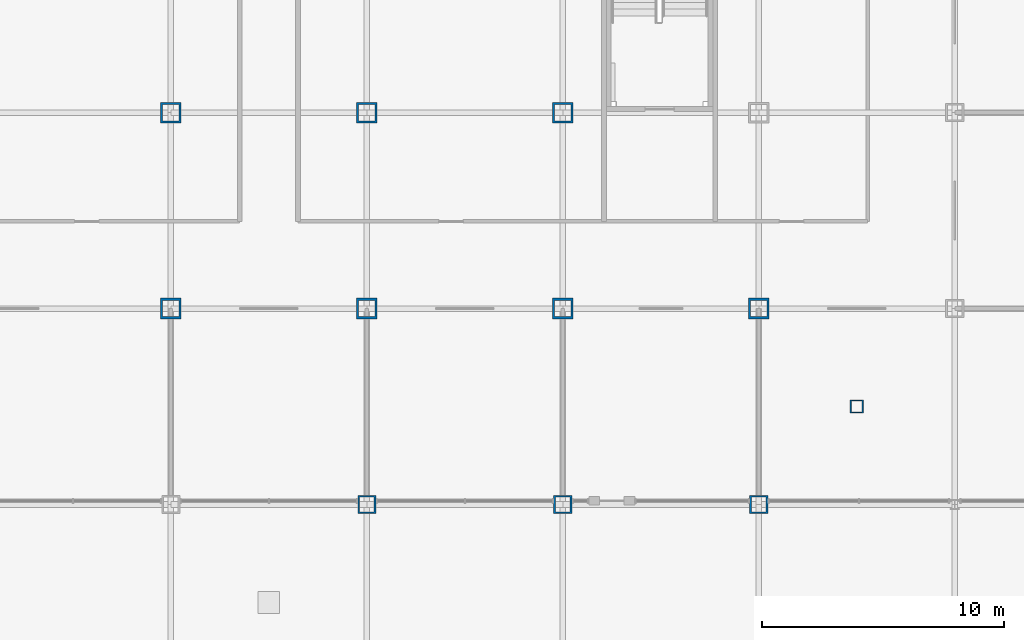
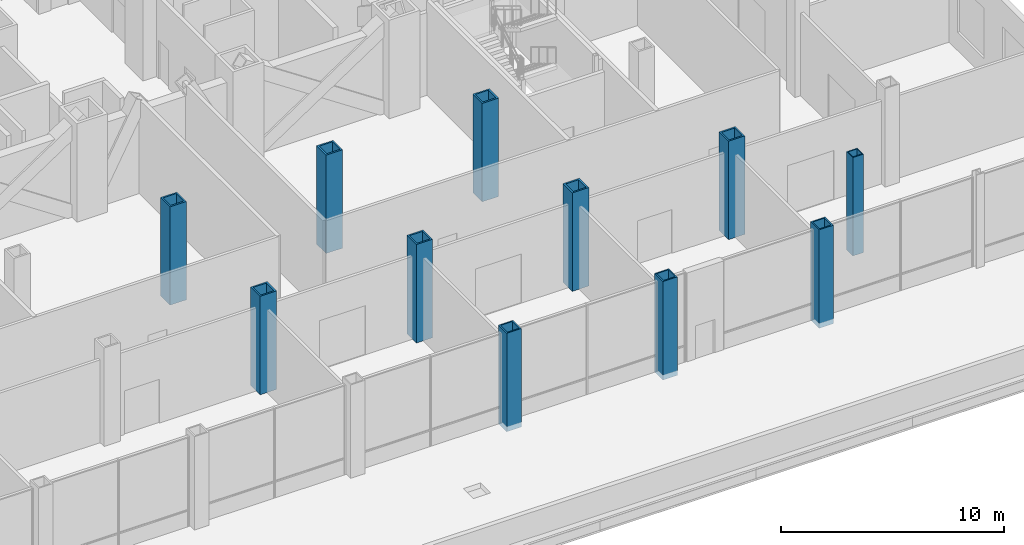
# One storey, part 3 of 29: 11 columns.
"""IFC4 building model written with IfcOpenShell, lengths in metres."""

from ifc_helpers import new_model, si_unit, direction, frame, origin, origin_2d, place, context, subcontext, project, spatial, hollow_rectangle, extrude, material, material_profile, profile_set, type_object, element, save


model = new_model("IFC4")

# Units and contexts
model_context = context("Model", 3, precision=1e-05, world=origin(), true_north=direction((0.0, 1.0)))
body_context = subcontext(model_context, "Body", "Model", "MODEL_VIEW")
ifc_project = project(units=[si_unit("LENGTHUNIT", "METRE"), si_unit("AREAUNIT", "SQUARE_METRE"), si_unit("VOLUMEUNIT", "CUBIC_METRE"), si_unit("PLANEANGLEUNIT", "RADIAN"), si_unit("MASSUNIT", "GRAM", prefix="KILO")], contexts=[model_context])

# Site, building, storey
site_placement = place(None, origin())
site = spatial("IfcSite", under=ifc_project, at=site_placement, CompositionType="ELEMENT")
building_placement = place(site_placement, origin())
building = spatial("IfcBuilding", under=site, at=building_placement, Name="Kopane Lantern Tower", CompositionType="ELEMENT")
storey_placement = place(building_placement, frame((0.0, 0.0, 11.39990234375)))
storey = spatial("IfcBuildingStorey", under=building, at=storey_placement, Name="L02", CompositionType="ELEMENT", Elevation=11.39990234375)

# Columns
ifc_material_1 = material(Name="Steel S355JR", Category="steel")
ifc_material_profile_1 = material_profile(ifc_material_1, hollow_rectangle(XDim=0.550048828125, YDim=0.550048828125, WallThickness=0.050048828125, at=origin_2d()), Name="BOX 550x550x50")
ifc_profile_set_1 = profile_set([ifc_material_profile_1], Name="Steel S355JR")
column_type_1 = type_object("IfcColumnType", Name="COLUMN BOX 550x550x50", PredefinedType="COLUMN", material=ifc_profile_set_1)
column_placement = place(storey_placement, frame((52.64990234375, 4.050048828125, 0.0), z_axis=(0.0, 0.0, 1.0), x_axis=(1.0, 0.0, 0.0)))
element("IfcColumn", 1, at=column_placement, inside=storey, type_object=column_type_1, Name="Column 52.65/4.05 L02", PredefinedType="COLUMN", context=body_context, shape_type="SweptSolid", body=[
    extrude(hollow_rectangle(XDim=0.550048828125, YDim=0.550048828125, WallThickness=0.050048828125, at=origin_2d()), origin(), (0.0, 0.0, 1.0), 5.400146484375),
])
ifc_material_2 = material(Name="Steel S355JR", Category="steel")
ifc_material_profile_2 = material_profile(ifc_material_2, hollow_rectangle(XDim=0.75, YDim=0.75, WallThickness=0.070068359375, at=origin_2d()), Name="BOX 750x750x70")
ifc_profile_set_2 = profile_set([ifc_material_profile_2], Name="Steel S355JR")
column_type_2 = type_object("IfcColumnType", Name="COLUMN BOX 750x750x70", PredefinedType="COLUMN", material=ifc_profile_set_2)
for number, where, z_axis, x_axis, name in (
    (2, (32.39990234375, 0.0, 0.0), (0.0, 0.0, 1.0), (1.0, 0.0, 0.0), "Column 6/B L02"),
    (3, (40.5, 0.0, 0.0), (0.0, 0.0, 1.0), (1.0, 0.0, 0.0), "Column 7/B L02"),
    (4, (48.60009765625, 0.0, 0.0), (0.0, 0.0, 1.0), (1.0, 0.0, 0.0), "Column 8/B L02"),
):
    element("IfcColumn", number, at=place(storey_placement, frame(where, z_axis=z_axis, x_axis=x_axis)), inside=storey, type_object=column_type_2, Name=name, PredefinedType="COLUMN", context=body_context, shape_type="SweptSolid", body=[
        extrude(hollow_rectangle(XDim=0.75, YDim=0.75, WallThickness=0.070068359375, at=origin_2d()), origin(), (0.0, 0.0, 1.0), 5.400146484375),
    ])
ifc_material_3 = material(Name="Steel S355JR", Category="steel")
ifc_material_profile_3 = material_profile(ifc_material_3, hollow_rectangle(XDim=0.85009765625, YDim=0.85009765625, WallThickness=0.0849609375, at=origin_2d()), Name="BOX 850x850x85")
ifc_profile_set_3 = profile_set([ifc_material_profile_3], Name="Steel S355JR")
column_type_3 = type_object("IfcColumnType", Name="COLUMN BOX 850x850x85", PredefinedType="COLUMN", material=ifc_profile_set_3)
for number, where, z_axis, x_axis, name in (
    (5, (24.300048828125, 8.10009765625, 0.0), (0.0, 0.0, 1.0), (1.0, 0.0, 0.0), "Column 5/C L02"),
    (6, (24.300048828125, 16.199951171875, 0.0), (0.0, 0.0, 1.0), (1.0, 0.0, 0.0), "Column 5/D L02"),
    (7, (32.39990234375, 8.10009765625, 0.0), (0.0, 0.0, 1.0), (1.0, 0.0, 0.0), "Column 6/C L02"),
    (8, (32.39990234375, 16.199951171875, 0.0), (0.0, 0.0, 1.0), (1.0, 0.0, 0.0), "Column 6/D L02"),
    (9, (40.5, 8.10009765625, 0.0), (0.0, 0.0, 1.0), (1.0, 0.0, 0.0), "Column 7/C L02"),
    (10, (40.5, 16.199951171875, 0.0), (0.0, 0.0, 1.0), (1.0, 0.0, 0.0), "Column 7/D L02"),
    (11, (48.60009765625, 8.10009765625, 0.0), (0.0, 0.0, 1.0), (1.0, 0.0, 0.0), "Column 8/C L02"),
):
    element("IfcColumn", number, at=place(storey_placement, frame(where, z_axis=z_axis, x_axis=x_axis)), inside=storey, type_object=column_type_3, Name=name, PredefinedType="COLUMN", context=body_context, shape_type="SweptSolid", body=[
        extrude(hollow_rectangle(XDim=0.85009765625, YDim=0.85009765625, WallThickness=0.0849609375, at=origin_2d()), origin(), (0.0, 0.0, 1.0), 5.400146484375),
    ])

save(model, "model.ifc")
